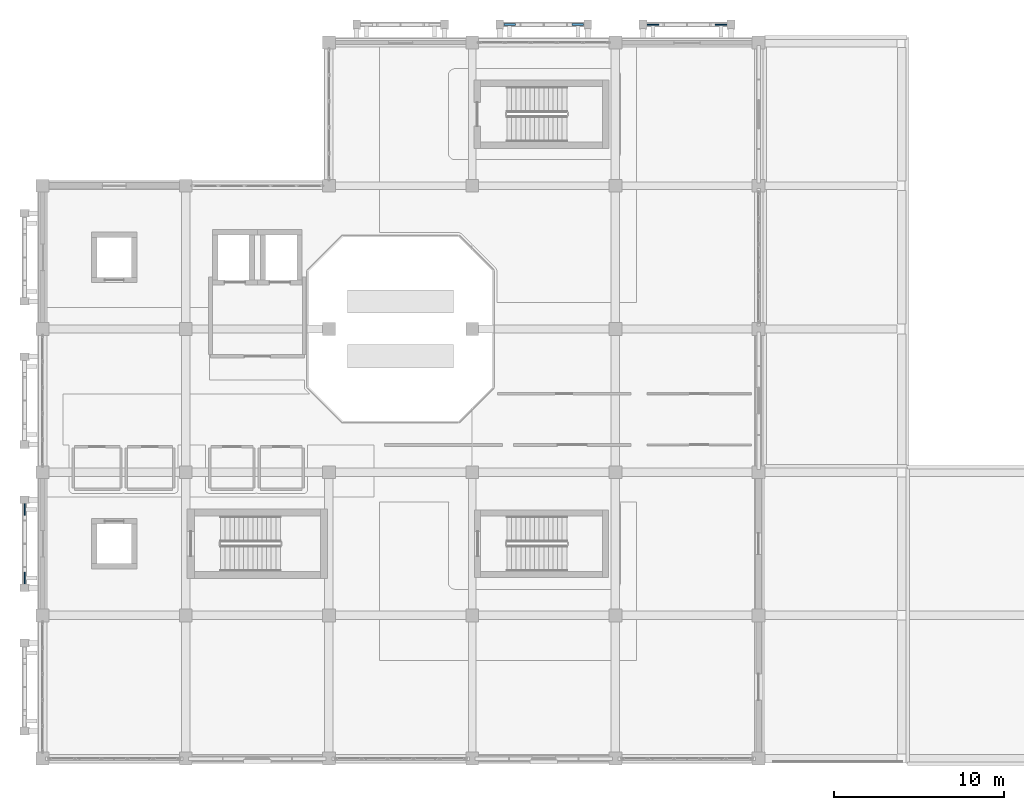
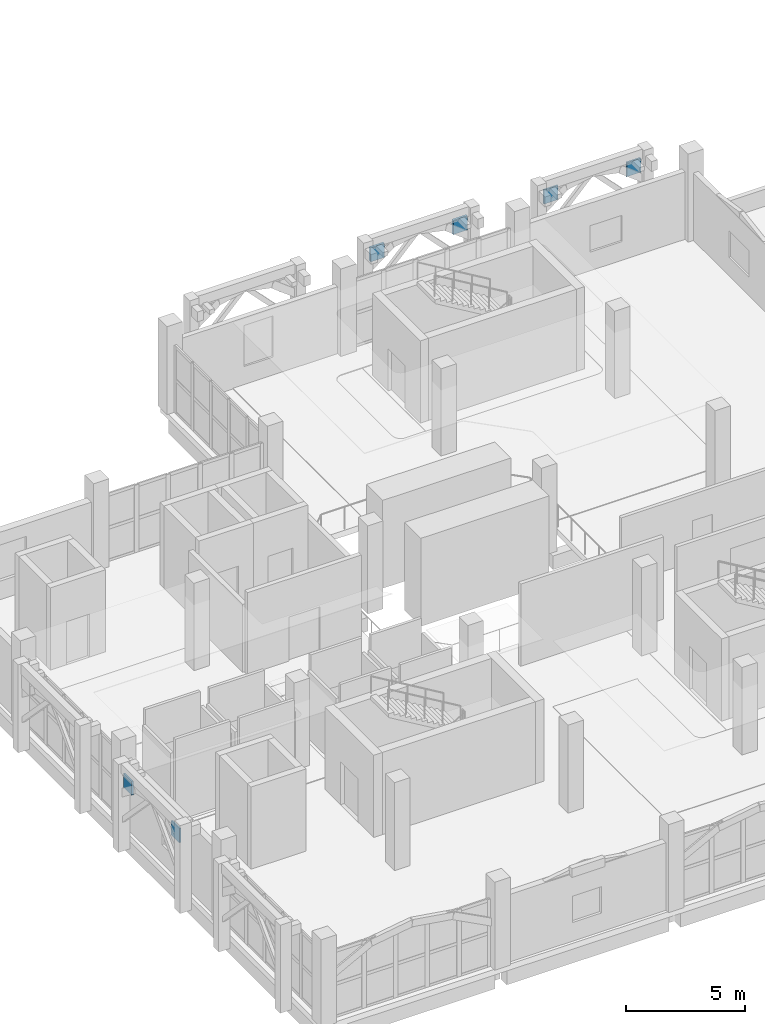
# One storey, part 24 of 34: 6 plates.
"""IFC4 building model written with IfcOpenShell, lengths in metres."""

from ifc_helpers import new_model, si_unit, direction, frame, origin, origin_2d, place, context, subcontext, project, spatial, rectangle, extrude, material, layer, layer_set, type_object, element, save


model = new_model("IFC4")

# Units and contexts
model_context = context("Model", 3, precision=1e-05, world=origin(), true_north=direction((0.0, 1.0)))
body_context = subcontext(model_context, "Body", "Model", "MODEL_VIEW")
ifc_project = project(units=[si_unit("LENGTHUNIT", "METRE"), si_unit("AREAUNIT", "SQUARE_METRE"), si_unit("VOLUMEUNIT", "CUBIC_METRE"), si_unit("PLANEANGLEUNIT", "RADIAN"), si_unit("MASSUNIT", "GRAM", prefix="KILO")], contexts=[model_context])

# Site, building, storey
site_placement = place(None, origin())
site = spatial("IfcSite", under=ifc_project, at=site_placement, CompositionType="ELEMENT")
building_placement = place(site_placement, origin())
building = spatial("IfcBuilding", under=site, at=building_placement, Name="Xazarin Passage Department Store", CompositionType="ELEMENT")
storey_placement = place(building_placement, frame((0.0, 0.0, 18.89990234375)))
storey = spatial("IfcBuildingStorey", under=building, at=storey_placement, Name="L04", CompositionType="ELEMENT", Elevation=18.89990234375)

# Plates
ifc_material = material(Name="Precast concrete C40/50", Category="concrete")
ifc_layer_1 = layer(ifc_material, 0.080078125)
ifc_layer_set_1 = layer_set([ifc_layer_1], Name="Precast concrete C40/50")
plate_type_1 = type_object("IfcPlateType", Name="ARC-PLT-SCR-01", PredefinedType="USERDEFINED", material=ifc_layer_set_1)
for number, where, z_axis, x_axis, name in (
    (1, (35.800048828125, 111.050048828125, 3.26025390625), (0.0, 0.0, 1.0), (1.0, 0.0, 0.0), "L04 V1 Arch Spandrel Tympanum 0041"),
    (2, (39.800048828125, 111.050048828125, 3.26025390625), (0.0, 0.0, 1.0), (1.0, 0.0, 0.0), "L04 V1 Arch Spandrel Tympanum 0042"),
    (3, (-1.050048828125, 78.60009765625, 3.26025390625), (0.0, 0.0, 1.0), (0.0, 1.0, 0.0), "L04 V1 Arch Spandrel Tympanum 0101"),
    (4, (-1.050048828125, 82.60009765625, 3.26025390625), (0.0, 0.0, 1.0), (0.0, 1.0, 0.0), "L04 V1 Arch Spandrel Tympanum 0102"),
):
    element("IfcPlate", number, at=place(storey_placement, frame(where, z_axis=z_axis, x_axis=x_axis)), inside=storey, type_object=plate_type_1, Name=name, ObjectType="SCREEN PANEL", PredefinedType="USERDEFINED", context=body_context, shape_type="SweptSolid", body=[
        extrude(rectangle(XDim=0.679931640625, YDim=0.080078125, at=origin_2d()), origin(), (0.0, 0.0, 1.0), 0.719970703125),
    ])
ifc_layer_2 = layer(ifc_material, 0.1201171875)
ifc_layer_set_2 = layer_set([ifc_layer_2], Name="Precast concrete C40/50")
plate_type_2 = type_object("IfcPlateType", Name="ARC-PLT-SCR-05", PredefinedType="USERDEFINED", material=ifc_layer_set_2)
for number, where, z_axis, x_axis, name in (
    (5, (27.39990234375, 111.050048828125, 3.26025390625), (0.0, 0.0, 1.0), (1.0, 0.0, 0.0), "L04 V1 Arch Spandrel Tympanum 0025"),
    (6, (31.39990234375, 111.050048828125, 3.26025390625), (0.0, 0.0, 1.0), (1.0, 0.0, 0.0), "L04 V1 Arch Spandrel Tympanum 0026"),
):
    element("IfcPlate", number, at=place(storey_placement, frame(where, z_axis=z_axis, x_axis=x_axis)), inside=storey, type_object=plate_type_2, Name=name, ObjectType="SCREEN PANEL", PredefinedType="USERDEFINED", context=body_context, shape_type="SweptSolid", body=[
        extrude(rectangle(XDim=0.679931640625, YDim=0.1201171875, at=origin_2d()), origin(), (0.0, 0.0, 1.0), 0.719970703125),
    ])

save(model, "model.ifc")
